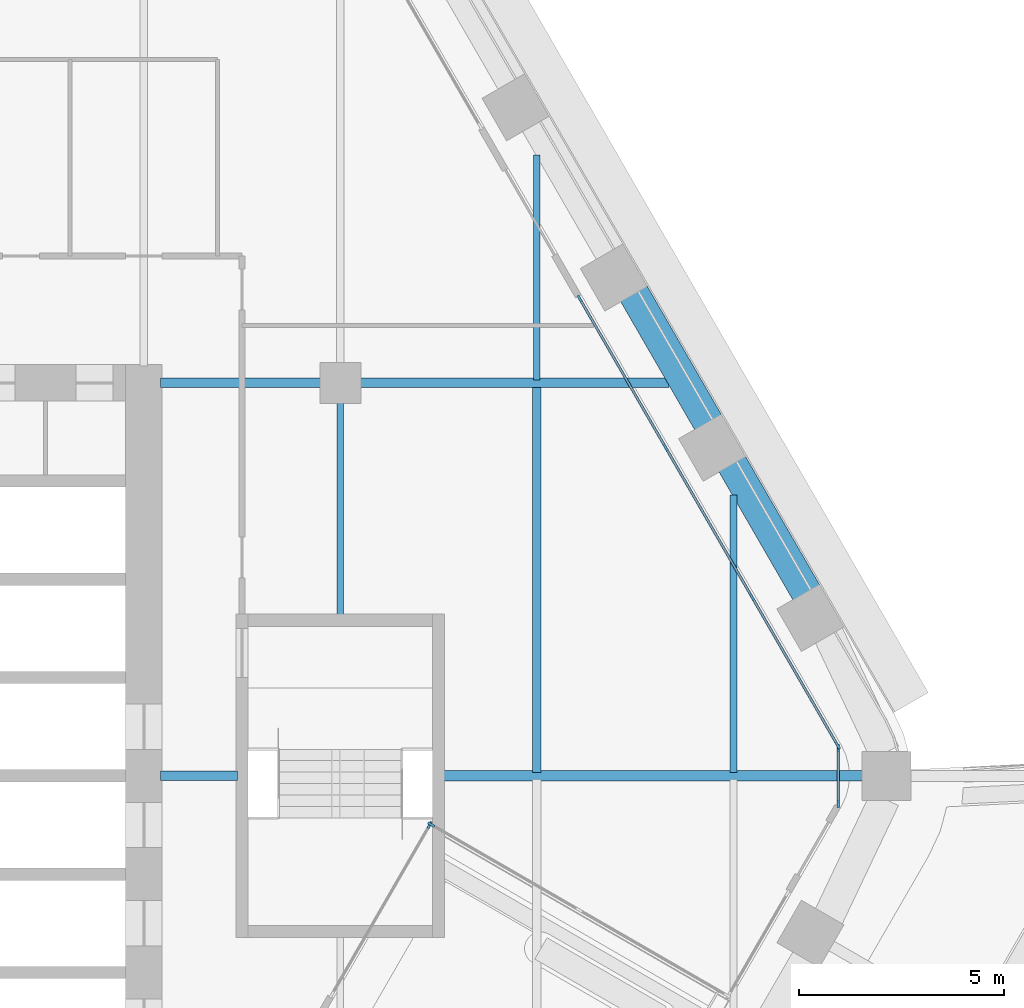
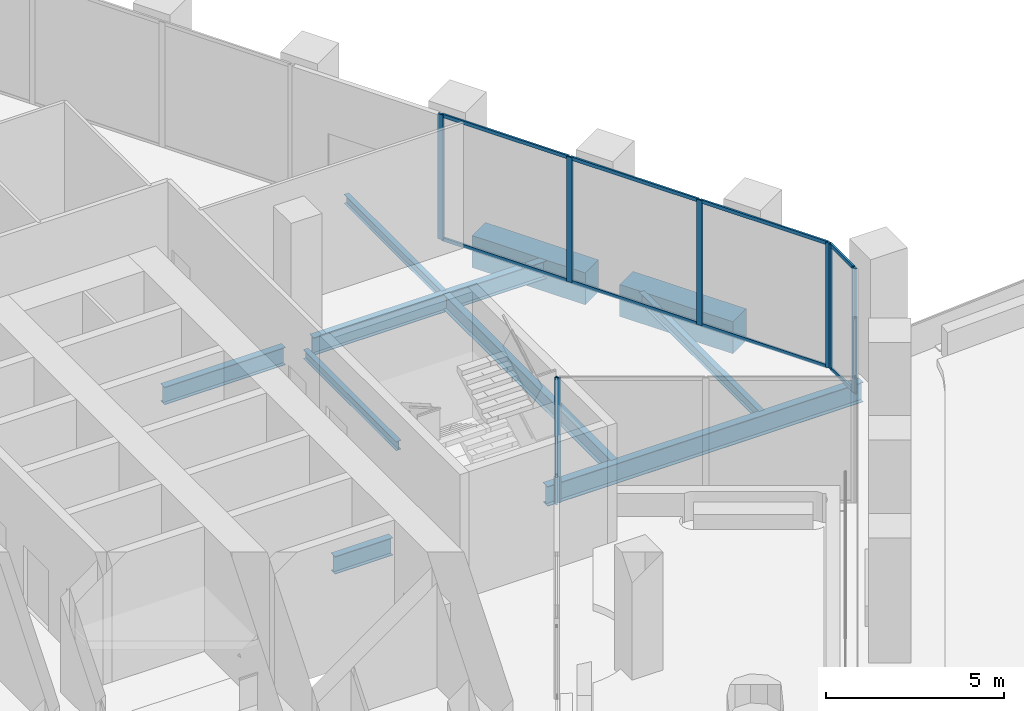
# One storey, part 9 of 25: 16 members, 10 beams, 4 elements without a shape of their own.
"""IFC4 building model written with IfcOpenShell, lengths in metres."""

from ifc_helpers import new_model, si_unit, direction, frame, origin, origin_2d, place, context, subcontext, project, spatial, rectangle, i_section, extrude, material, material_profile, profile_set, type_object, element, aggregate, save


model = new_model("IFC4")

# Units and contexts
model_context = context("Model", 3, precision=1e-05, world=origin(), true_north=direction((0.0, 1.0)))
body_context = subcontext(model_context, "Body", "Model", "MODEL_VIEW")
ifc_project = project(units=[si_unit("LENGTHUNIT", "METRE"), si_unit("AREAUNIT", "SQUARE_METRE"), si_unit("VOLUMEUNIT", "CUBIC_METRE"), si_unit("PLANEANGLEUNIT", "RADIAN"), si_unit("MASSUNIT", "GRAM", prefix="KILO")], contexts=[model_context])

# Site, building, storey
site_placement = place(None, origin())
site = spatial("IfcSite", under=ifc_project, at=site_placement, CompositionType="ELEMENT")
building_placement = place(site_placement, origin())
building = spatial("IfcBuilding", under=site, at=building_placement, Name="Kolab Exchange Tower", CompositionType="ELEMENT")
storey_placement = place(building_placement, frame((0.0, 0.0, 91.39990234375)))
storey = spatial("IfcBuildingStorey", under=building, at=storey_placement, Name="L17", CompositionType="ELEMENT", Elevation=91.39990234375)

# Beams
ifc_material_1 = material(Name="Steel S355", Category="steel")
ifc_material_profile_1 = material_profile(ifc_material_1, i_section(OverallWidth=0.1650390625, OverallDepth=0.31005859375, WebThickness=0.005859375, FlangeThickness=0.009765625, at=origin_2d()), Name="W310X39")
ifc_profile_set_1 = profile_set([ifc_material_profile_1], Name="Steel S355")
beam_type_1 = type_object("IfcBeamType", Name="FLOOR BEAM W310X39", PredefinedType="BEAM", material=ifc_profile_set_1)
beam_1_placement = place(storey_placement, frame((19.199951171875, 3.909912109375, -0.35498046875), z_axis=(0.0, 1.0, 0.0), x_axis=(-1.0, 0.0, 0.0)))
element("IfcBeam", 1, at=beam_1_placement, inside=storey, type_object=beam_type_1, Name="beam/L17/fr/043", PredefinedType="BEAM", context=body_context, shape_type="SweptSolid", body=[
    extrude(i_section(OverallWidth=0.1650390625, OverallDepth=0.31005859375, WebThickness=0.005859375, FlangeThickness=0.009765625, at=origin_2d()), origin(), (0.0, 0.0, 1.0), 5.22998046875),
])
beam_2_placement = place(storey_placement, frame((24.0, 9.674072265625, -0.35498046875), z_axis=(0.0, 1.0, 0.0), x_axis=(-1.0, 0.0, 0.0)))
element("IfcBeam", 2, at=beam_2_placement, inside=storey, type_object=beam_type_1, Name="beam/L17/fr/049", PredefinedType="BEAM", context=body_context, shape_type="SweptSolid", body=[
    extrude(i_section(OverallWidth=0.1650390625, OverallDepth=0.31005859375, WebThickness=0.005859375, FlangeThickness=0.009765625, at=origin_2d()), origin(), (0.0, 0.0, 1.0), 5.49365234375),
])
ifc_material_profile_2 = material_profile(ifc_material_1, i_section(OverallWidth=0.1708984375, OverallDepth=0.35498046875, WebThickness=0.007080078125, FlangeThickness=0.01171875, at=origin_2d()), Name="W360X51")
ifc_profile_set_2 = profile_set([ifc_material_profile_2], Name="Steel S355")
beam_type_2 = type_object("IfcBeamType", Name="FLOOR BEAM W360X51", PredefinedType="BEAM", material=ifc_profile_set_2)
beam_3_placement = place(storey_placement, frame((28.800048828125, 0.0869140625, -0.37744140625), z_axis=(0.0, 1.0, 0.0), x_axis=(-1.0, 0.0, 0.0)))
element("IfcBeam", 3, at=beam_3_placement, inside=storey, type_object=beam_type_2, Name="beam/L17/fr/051", PredefinedType="BEAM", context=body_context, shape_type="SweptSolid", body=[
    extrude(i_section(OverallWidth=0.1708984375, OverallDepth=0.35498046875, WebThickness=0.007080078125, FlangeThickness=0.01171875, at=origin_2d()), origin(), (0.0, 0.0, 1.0), 6.766845703125),
])
ifc_material_profile_3 = material_profile(ifc_material_1, i_section(OverallWidth=0.208984375, OverallDepth=0.532958984375, WebThickness=0.01025390625, FlangeThickness=0.015625, at=origin_2d()), Name="W530X92")
ifc_profile_set_3 = profile_set([ifc_material_profile_3], Name="Steel S355")
beam_type_3 = type_object("IfcBeamType", Name="FLOOR BEAM W530X92", PredefinedType="BEAM", material=ifc_profile_set_3)
beam_4_placement = place(storey_placement, frame((24.0, 0.0869140625, -0.46630859375), z_axis=(0.0, 1.0, 0.0), x_axis=(-1.0, 0.0, 0.0)))
element("IfcBeam", 4, at=beam_4_placement, inside=storey, type_object=beam_type_3, Name="beam/L17/fr/048", PredefinedType="BEAM", context=body_context, shape_type="SweptSolid", body=[
    extrude(i_section(OverallWidth=0.208984375, OverallDepth=0.532958984375, WebThickness=0.01025390625, FlangeThickness=0.015625, at=origin_2d()), origin(), (0.0, 0.0, 1.0), 9.43896484375),
])
ifc_material_profile_4 = material_profile(ifc_material_1, i_section(OverallWidth=0.22802734375, OverallDepth=0.60791015625, WebThickness=0.01123046875, FlangeThickness=0.017333984375, at=origin_2d()), Name="W610X113")
ifc_profile_set_4 = profile_set([ifc_material_profile_4], Name="Steel S355")
beam_type_4 = type_object("IfcBeamType", Name="FLOOR GIRDER W610X113", PredefinedType="BEAM", material=ifc_profile_set_4)
beam_5_placement = place(storey_placement, frame((14.81005859375, 0.0, -0.50390625), z_axis=(1.0, 0.0, 0.0), x_axis=(0.0, 1.0, 0.0)))
element("IfcBeam", 5, at=beam_5_placement, inside=storey, type_object=beam_type_4, Name="beam/L17/gd/015", PredefinedType="BEAM", context=body_context, shape_type="SweptSolid", body=[
    extrude(i_section(OverallWidth=0.22802734375, OverallDepth=0.60791015625, WebThickness=0.01123046875, FlangeThickness=0.017333984375, at=origin_2d()), origin(), (0.0, 0.0, 1.0), 1.8798828125),
])
beam_6_placement = place(storey_placement, frame((14.81005859375, 9.60009765625, -0.50390625), z_axis=(1.0, 0.0, 0.0), x_axis=(0.0, 1.0, 0.0)))
element("IfcBeam", 6, at=beam_6_placement, inside=storey, type_object=beam_type_4, Name="beam/L17/gd/016", PredefinedType="BEAM", context=body_context, shape_type="SweptSolid", body=[
    extrude(i_section(OverallWidth=0.22802734375, OverallDepth=0.60791015625, WebThickness=0.01123046875, FlangeThickness=0.017333984375, at=origin_2d()), origin(), (0.0, 0.0, 1.0), 3.929931640625),
])
beam_7_placement = place(storey_placement, frame((19.659912109375, 9.60009765625, -0.50390625), z_axis=(1.0, 0.0, 0.0), x_axis=(0.0, 1.0, 0.0)))
element("IfcBeam", 7, at=beam_7_placement, inside=storey, type_object=beam_type_4, Name="beam/L17/gd/018", PredefinedType="BEAM", context=body_context, shape_type="SweptSolid", body=[
    extrude(i_section(OverallWidth=0.22802734375, OverallDepth=0.60791015625, WebThickness=0.01123046875, FlangeThickness=0.017333984375, at=origin_2d()), origin(), (0.0, 0.0, 1.0), 7.571533203125),
])
ifc_material_profile_5 = material_profile(ifc_material_1, i_section(OverallWidth=0.25390625, OverallDepth=0.68408203125, WebThickness=0.012451171875, FlangeThickness=0.018798828125, at=origin_2d()), Name="W690X140")
ifc_profile_set_5 = profile_set([ifc_material_profile_5], Name="Steel S355")
beam_type_5 = type_object("IfcBeamType", Name="FLOOR GIRDER W690X140", PredefinedType="BEAM", material=ifc_profile_set_5)
beam_8_placement = place(storey_placement, frame((21.7099609375, 0.0, -0.5419921875), z_axis=(1.0, 0.0, 0.0), x_axis=(0.0, 1.0, 0.0)))
element("IfcBeam", 8, at=beam_8_placement, inside=storey, type_object=beam_type_5, Name="beam/L17/gd/019", PredefinedType="BEAM", context=body_context, shape_type="SweptSolid", body=[
    extrude(i_section(OverallWidth=0.25390625, OverallDepth=0.68408203125, WebThickness=0.012451171875, FlangeThickness=0.018798828125, at=origin_2d()), origin(), (0.0, 0.0, 1.0), 10.265869140625),
])
ifc_material_2 = material(Name="Concrete C70/85", Category="concrete")
ifc_material_profile_6 = material_profile(ifc_material_2, rectangle(XDim=0.75, YDim=1.10009765625, at=origin_2d()), Name="RC750X1100")
ifc_profile_set_6 = profile_set([ifc_material_profile_6], Name="Concrete C70/85")
beam_type_6 = type_object("IfcBeamType", Name="SPANDREL BEAM 750X1100 C70/85", PredefinedType="BEAM", material=ifc_profile_set_6)
for number, where, z_axis, x_axis, name in (
    (9, (26.355224609375, 11.79833984375, -0.75), (0.500013413428, -0.866017659399, 0.0), (0.866017659399, 0.500013413428, 0.0), "beam/L17/sp/F2-05"),
    (10, (28.755126953125, 7.641357421875, -0.75), (0.500013413428, -0.866017659399, 0.0), (0.866017659399, 0.500013413428, 0.0), "beam/L17/sp/F2-06"),
):
    element("IfcBeam", number, at=place(storey_placement, frame(where, z_axis=z_axis, x_axis=x_axis)), inside=storey, type_object=beam_type_6, Name=name, PredefinedType="BEAM", context=body_context, shape_type="SweptSolid", body=[
        extrude(rectangle(XDim=0.75, YDim=1.10009765625, at=origin_2d()), origin(), (0.0, 0.0, 1.0), 3.68017578125),
    ])

# Curtain wall, members
ifc_material_3 = material(Name="Aluminium EN AW-6063 T6", Category="aluminium")
curtain_wall_type = type_object("IfcCurtainWallType", Name="UNITISED LOWER MID ZONE CURTAIN WALL", PredefinedType="NOTDEFINED", material=ifc_material_3)
curtain_wall_1_placement = place(storey_placement, origin())
curtain_wall_1 = element("IfcCurtainWall", 11, at=curtain_wall_1_placement, inside=storey, type_object=curtain_wall_type, Name="cw/L17/F2-2", PredefinedType="NOTDEFINED")
ifc_material_profile_7 = material_profile(ifc_material_3, rectangle(XDim=0.06005859375, YDim=0.179931640625, at=origin_2d()), Name="RECT 60X180")
ifc_profile_set_7 = profile_set([ifc_material_profile_7], Name="Aluminium EN AW-6063 T6")
member_type_1 = type_object("IfcMemberType", Name="UNITISED LOWER MID ZONE MULLION 60 X 180", PredefinedType="MULLION", material=ifc_profile_set_7)
member_1_placement = place(storey_placement, frame((25.046630859375, 11.65478515625, 0.0), z_axis=(0.0, 0.0, 1.0), x_axis=(0.866025427826, 0.499999958358, 0.0)))
member_1 = element("IfcMember", 12, at=member_1_placement, type_object=member_type_1, Name="CW2 mullion 1", PredefinedType="MULLION", context=body_context, shape_type="SweptSolid", body=[
    extrude(rectangle(XDim=0.06005859375, YDim=0.179931640625, at=origin_2d()), origin(), (0.0, 0.0, 1.0), 4.300048828125),
])
member_2_placement = place(storey_placement, frame((27.14306640625, 8.02392578125, 0.0), z_axis=(0.0, 0.0, 1.0), x_axis=(0.866025427826, 0.499999958358, 0.0)))
member_2 = element("IfcMember", 13, at=member_2_placement, type_object=member_type_1, Name="CW2 mullion 2", PredefinedType="MULLION", context=body_context, shape_type="SweptSolid", body=[
    extrude(rectangle(XDim=0.06005859375, YDim=0.179931640625, at=origin_2d()), origin(), (0.0, 0.0, 1.0), 4.300048828125),
])
member_3_placement = place(storey_placement, frame((29.25439453125, 4.366943359375, 0.0), z_axis=(0.0, 0.0, 1.0), x_axis=(0.866025427826, 0.499999958358, 0.0)))
member_3 = element("IfcMember", 14, at=member_3_placement, type_object=member_type_1, Name="CW2 mullion 3", PredefinedType="MULLION", context=body_context, shape_type="SweptSolid", body=[
    extrude(rectangle(XDim=0.06005859375, YDim=0.179931640625, at=origin_2d()), origin(), (0.0, 0.0, 1.0), 4.300048828125),
])
member_4_placement = place(storey_placement, frame((31.3505859375, 0.736083984375, 0.0), z_axis=(0.0, 0.0, 1.0), x_axis=(0.866025427826, 0.499999958358, 0.0)))
member_4 = element("IfcMember", 15, at=member_4_placement, type_object=member_type_1, Name="CW2 mullion 4", PredefinedType="MULLION", context=body_context, shape_type="SweptSolid", body=[
    extrude(rectangle(XDim=0.06005859375, YDim=0.179931640625, at=origin_2d()), origin(), (0.0, 0.0, 1.0), 4.300048828125),
])

# Curtain wall, member
curtain_wall_2_placement = place(storey_placement, origin())
curtain_wall_2 = element("IfcCurtainWall", 16, at=curtain_wall_2_placement, inside=storey, type_object=curtain_wall_type, Name="cw/L17/F3-rl-1", PredefinedType="NOTDEFINED")
member_5_placement = place(storey_placement, frame((21.423095703125, -1.191162109375, 0.0), z_axis=(0.0, 0.0, 1.0), x_axis=(-0.499999968652, -0.866025421884, 0.0)))
member_5 = element("IfcMember", 17, at=member_5_placement, type_object=member_type_1, Name="CW2 mullion 3", PredefinedType="MULLION", context=body_context, shape_type="SweptSolid", body=[
    extrude(rectangle(XDim=0.06005859375, YDim=0.179931640625, at=origin_2d()), origin(), (0.0, 0.0, 1.0), 4.300048828125),
])
aggregate(curtain_wall_2, [member_5])

curtain_wall_3_placement = place(storey_placement, origin())
curtain_wall_3 = element("IfcCurtainWall", 18, at=curtain_wall_3_placement, inside=storey, type_object=curtain_wall_type, Name="cw/L17/F3-back-1", PredefinedType="NOTDEFINED")
member_6_placement = place(storey_placement, frame((21.382080078125, -1.2021484375, 0.0), z_axis=(0.0, 0.0, 1.0), x_axis=(0.866025406141, -0.499999995919, 0.0)))
member_6 = element("IfcMember", 19, at=member_6_placement, type_object=member_type_1, Name="CW2 mullion 1", PredefinedType="MULLION", context=body_context, shape_type="SweptSolid", body=[
    extrude(rectangle(XDim=0.06005859375, YDim=0.179931640625, at=origin_2d()), origin(), (0.0, 0.0, 1.0), 4.300048828125),
])
aggregate(curtain_wall_3, [member_6])

# Curtain wall, members
curtain_wall_4_placement = place(storey_placement, origin())
curtain_wall_4 = element("IfcCurtainWall", 20, at=curtain_wall_4_placement, inside=storey, type_object=curtain_wall_type, Name="cw/L17/F2F3-corner", PredefinedType="NOTDEFINED")
member_7_placement = place(storey_placement, frame((31.36572265625, 0.679931640625, 0.0), z_axis=(0.0, 0.0, 1.0), x_axis=(1.0, 0.0, 0.0)))
member_7 = element("IfcMember", 21, at=member_7_placement, type_object=member_type_1, Name="CW2 mullion 1", PredefinedType="MULLION", context=body_context, shape_type="SweptSolid", body=[
    extrude(rectangle(XDim=0.06005859375, YDim=0.179931640625, at=origin_2d()), origin(), (0.0, 0.0, 1.0), 4.300048828125),
])
member_8_placement = place(storey_placement, frame((31.36572265625, -0.679931640625, 0.0), z_axis=(0.0, 0.0, 1.0), x_axis=(1.0, 0.0, 0.0)))
member_8 = element("IfcMember", 22, at=member_8_placement, type_object=member_type_1, Name="CW2 mullion 2", PredefinedType="MULLION", context=body_context, shape_type="SweptSolid", body=[
    extrude(rectangle(XDim=0.06005859375, YDim=0.179931640625, at=origin_2d()), origin(), (0.0, 0.0, 1.0), 4.300048828125),
])

# Member
ifc_material_profile_8 = material_profile(ifc_material_3, rectangle(XDim=0.06005859375, YDim=0.1201171875, at=origin_2d()), Name="RECT 60X120")
ifc_profile_set_8 = profile_set([ifc_material_profile_8], Name="Aluminium EN AW-6063 T6")
member_type_2 = type_object("IfcMemberType", Name="UNITISED LOWER MID ZONE TRANSOM 60 X 120", PredefinedType="USERDEFINED", material=ifc_profile_set_8)
member_9_placement = place(storey_placement, frame((25.061767578125, 11.62890625, 0.030029296875), z_axis=(0.499957688808, -0.866049830784, 0.0), x_axis=(0.866049830784, 0.499957688808, 0.0)))
member_9 = element("IfcMember", 23, at=member_9_placement, type_object=member_type_2, Name="CW2 transom 1.1", ObjectType="TRANSOM", PredefinedType="USERDEFINED", context=body_context, shape_type="SweptSolid", body=[
    extrude(rectangle(XDim=0.06005859375, YDim=0.1201171875, at=origin_2d()), origin(), (0.0, 0.0, 1.0), 4.132568359375),
])

member_10_placement = place(storey_placement, frame((25.061767578125, 11.62890625, 4.27001953125), z_axis=(0.499957688808, -0.866049830784, 0.0), x_axis=(0.866049830784, 0.499957688808, 0.0)))
member_10 = element("IfcMember", 24, at=member_10_placement, type_object=member_type_2, Name="CW2 transom 1.2", ObjectType="TRANSOM", PredefinedType="USERDEFINED", context=body_context, shape_type="SweptSolid", body=[
    extrude(rectangle(XDim=0.06005859375, YDim=0.1201171875, at=origin_2d()), origin(), (0.0, 0.0, 1.0), 4.132568359375),
])

member_11_placement = place(storey_placement, frame((27.157958984375, 7.997802734375, 0.030029296875), z_axis=(0.49999322259, -0.866029316688, 0.0), x_axis=(0.866029316688, 0.49999322259, 0.0)))
member_11 = element("IfcMember", 25, at=member_11_placement, type_object=member_type_2, Name="CW2 transom 2.1", ObjectType="TRANSOM", PredefinedType="USERDEFINED", context=body_context, shape_type="SweptSolid", body=[
    extrude(rectangle(XDim=0.06005859375, YDim=0.1201171875, at=origin_2d()), origin(), (0.0, 0.0, 1.0), 4.16259765625),
])

member_12_placement = place(storey_placement, frame((27.157958984375, 7.997802734375, 4.27001953125), z_axis=(0.49999322259, -0.866029316688, 0.0), x_axis=(0.866029316688, 0.49999322259, 0.0)))
member_12 = element("IfcMember", 26, at=member_12_placement, type_object=member_type_2, Name="CW2 transom 2.2", ObjectType="TRANSOM", PredefinedType="USERDEFINED", context=body_context, shape_type="SweptSolid", body=[
    extrude(rectangle(XDim=0.06005859375, YDim=0.1201171875, at=origin_2d()), origin(), (0.0, 0.0, 1.0), 4.16259765625),
])

member_13_placement = place(storey_placement, frame((29.269287109375, 4.3408203125, 0.030029296875), z_axis=(0.500027577057, -0.866009481578, 0.0), x_axis=(0.866009481578, 0.500027577057, 0.0)))
member_13 = element("IfcMember", 27, at=member_13_placement, type_object=member_type_2, Name="CW2 transom 3.1", ObjectType="TRANSOM", PredefinedType="USERDEFINED", context=body_context, shape_type="SweptSolid", body=[
    extrude(rectangle(XDim=0.06005859375, YDim=0.1201171875, at=origin_2d()), origin(), (0.0, 0.0, 1.0), 4.132568359375),
])

member_14_placement = place(storey_placement, frame((29.269287109375, 4.3408203125, 4.27001953125), z_axis=(0.500027577057, -0.866009481578, 0.0), x_axis=(0.866009481578, 0.500027577057, 0.0)))
member_14 = element("IfcMember", 28, at=member_14_placement, type_object=member_type_2, Name="CW2 transom 3.2", ObjectType="TRANSOM", PredefinedType="USERDEFINED", context=body_context, shape_type="SweptSolid", body=[
    extrude(rectangle(XDim=0.06005859375, YDim=0.1201171875, at=origin_2d()), origin(), (0.0, 0.0, 1.0), 4.132568359375),
])

aggregate(curtain_wall_1, [member_1, member_2, member_3, member_4, member_9, member_10, member_11, member_12, member_13, member_14])

member_15_placement = place(storey_placement, frame((31.36572265625, 0.64990234375, 0.030029296875), z_axis=(0.0, -1.0, 0.0), x_axis=(1.0, 0.0, 0.0)))
member_15 = element("IfcMember", 29, at=member_15_placement, type_object=member_type_2, Name="CW2 transom 1.1", ObjectType="TRANSOM", PredefinedType="USERDEFINED", context=body_context, shape_type="SweptSolid", body=[
    extrude(rectangle(XDim=0.06005859375, YDim=0.1201171875, at=origin_2d()), origin(), (0.0, 0.0, 1.0), 1.2998046875),
])

member_16_placement = place(storey_placement, frame((31.36572265625, 0.64990234375, 4.27001953125), z_axis=(0.0, -1.0, 0.0), x_axis=(1.0, 0.0, 0.0)))
member_16 = element("IfcMember", 30, at=member_16_placement, type_object=member_type_2, Name="CW2 transom 1.2", ObjectType="TRANSOM", PredefinedType="USERDEFINED", context=body_context, shape_type="SweptSolid", body=[
    extrude(rectangle(XDim=0.06005859375, YDim=0.1201171875, at=origin_2d()), origin(), (0.0, 0.0, 1.0), 1.2998046875),
])

aggregate(curtain_wall_4, [member_7, member_8, member_15, member_16])

save(model, "model.ifc")
